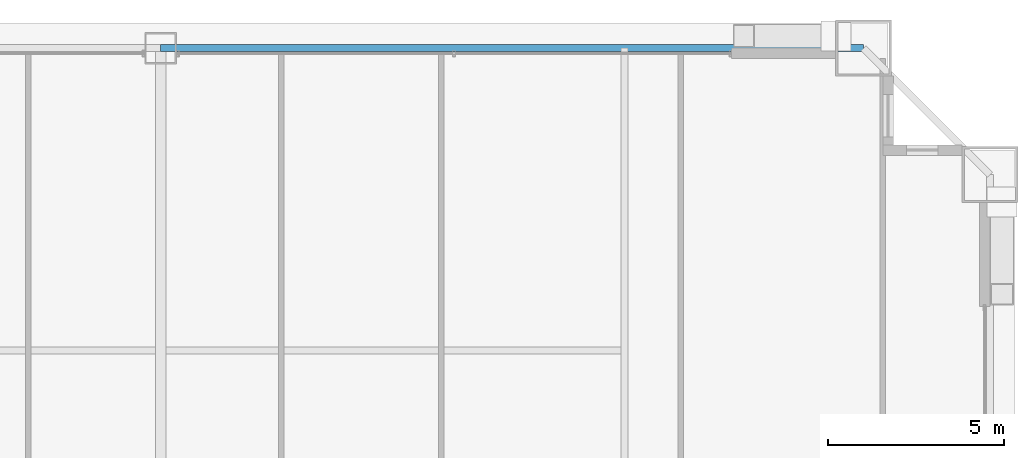
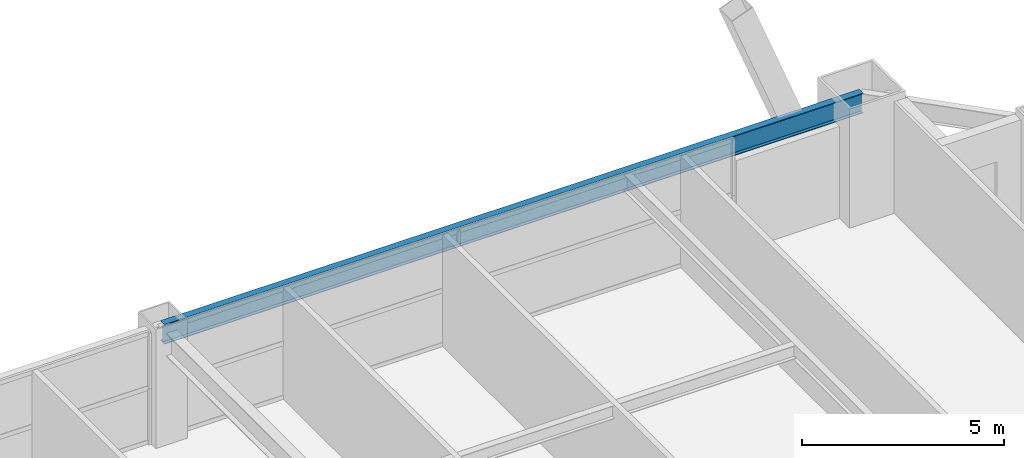
# One storey, part 35 of 43: 1 beam.
"""IFC4 building model written with IfcOpenShell, lengths in metres."""

from ifc_helpers import new_model, si_unit, direction, frame, origin, origin_2d, place, context, subcontext, project, spatial, i_section, extrude, source, transform, mapped, material, material_profile, profile_set, type_object, element, save


model = new_model("IFC4")

# Units and contexts
model_context = context("Model", 3, precision=1e-05, world=origin(), true_north=direction((0.0, 1.0)))
body_context = subcontext(model_context, "Body", "Model", "MODEL_VIEW")
ifc_project = project(units=[si_unit("LENGTHUNIT", "METRE"), si_unit("AREAUNIT", "SQUARE_METRE"), si_unit("VOLUMEUNIT", "CUBIC_METRE"), si_unit("PLANEANGLEUNIT", "RADIAN"), si_unit("MASSUNIT", "GRAM", prefix="KILO"), si_unit("THERMODYNAMICTEMPERATUREUNIT", "KELVIN"), si_unit("POWERUNIT", "WATT")], contexts=[model_context])

# Site, building, storey
site_placement = place(None, origin())
site = spatial("IfcSite", under=ifc_project, at=site_placement, CompositionType="ELEMENT")
building_placement = place(site_placement, origin())
building = spatial("IfcBuilding", under=site, at=building_placement, Name="Yuzanri Waterfront Tower", CompositionType="ELEMENT")
storey_placement = place(building_placement, frame((0.0, 0.0, 93.800048828125)))
storey = spatial("IfcBuildingStorey", under=building, at=storey_placement, Name="L24", CompositionType="ELEMENT", Elevation=93.800048828125)

# Beam
ifc_material = material(Name="Steel Q355B", Category="steel")
ifc_material_profile = material_profile(ifc_material, i_section(OverallWidth=0.199951171875, OverallDepth=0.60009765625, WebThickness=0.010986328125, FlangeThickness=0.01708984375, at=origin_2d()), Name="HN 600x200x11x17")
ifc_profile_set = profile_set([ifc_material_profile], Name="Steel Q355B")
beam_type = type_object("IfcBeamType", Name="Perimeter Spandrel Q355B HN 600x200", PredefinedType="SPANDREL", material=ifc_profile_set)
shared_shape = source(origin(), body_context, "Body", "SweptSolid", [
    extrude(i_section(OverallWidth=0.199951171875, OverallDepth=0.60009765625, WebThickness=0.010986328125, FlangeThickness=0.01708984375, at=origin_2d()), origin(), (0.0, 0.0, 1.0), 20.0),
])
beam_placement = place(storey_placement, frame((57.0, 49.39990234375, 3.079833984375), z_axis=(-1.0, 0.0, 0.0), x_axis=(0.0, -1.0, 0.0)))
element("IfcBeam", 1, at=beam_placement, inside=storey, type_object=beam_type, Name="L24 Perimeter Spandrel N3-N2", PredefinedType="SPANDREL", context=body_context, shape_type="MappedRepresentation", body=[
    mapped(shared_shape, transform((0.0, 0.0, 0.0), scale=1.0)),
])

save(model, "model.ifc")
